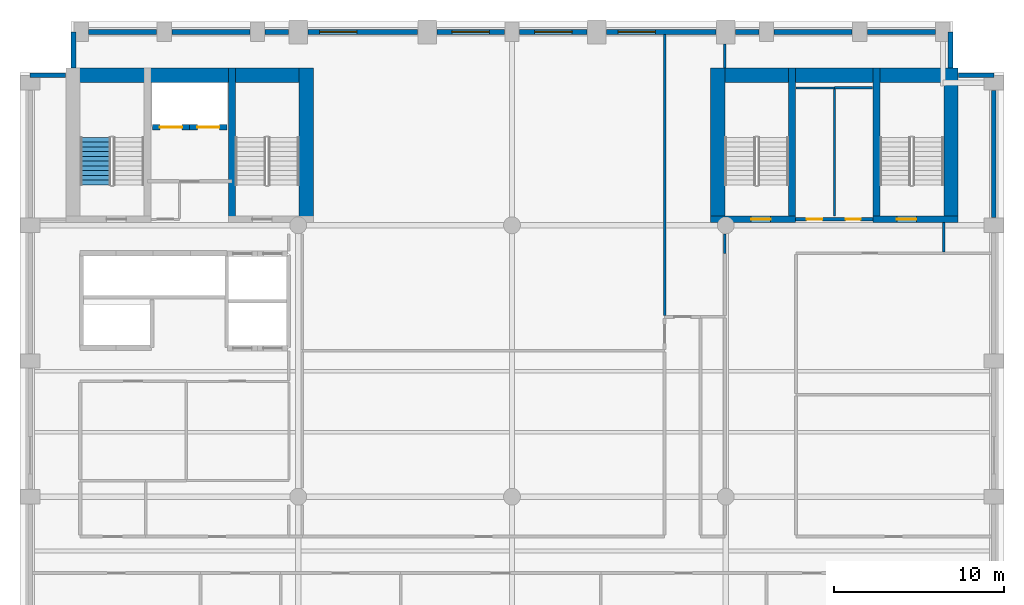
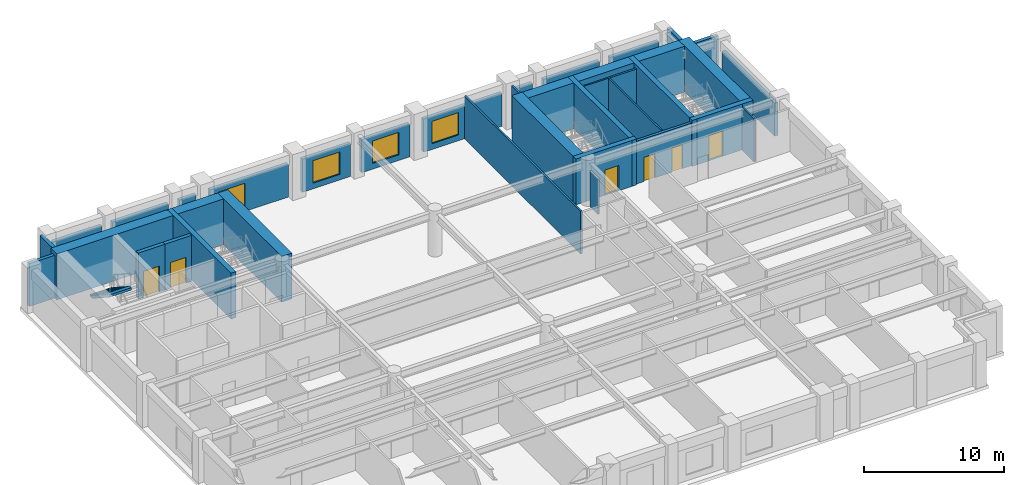
# One storey, part 5 of 8: 35 walls, 6 doors, 4 windows, 1 stair flight, 10 openings, 1 element without a shape of its own.
"""IFC4 building model written with IfcOpenShell, lengths in metres."""

from ifc_helpers import new_model, si_unit, direction, frame, frame_2d, origin, place, context, subcontext, project, spatial, polyline, rectangle, outline, extrude, material, layer, layer_set, type_object, element, fill, aggregate, save


model = new_model("IFC4")

# Units and contexts
model_context = context("Model", 3, precision=1e-05, world=origin(), true_north=direction((0.0, 1.0)))
body_context = subcontext(model_context, "Body", "Model", "MODEL_VIEW")
ifc_project = project(units=[si_unit("LENGTHUNIT", "METRE"), si_unit("AREAUNIT", "SQUARE_METRE"), si_unit("VOLUMEUNIT", "CUBIC_METRE"), si_unit("PLANEANGLEUNIT", "RADIAN"), si_unit("MASSUNIT", "GRAM", prefix="KILO")], contexts=[model_context])

# Site, building, storey
site_placement = place(None, origin())
site = spatial("IfcSite", under=ifc_project, at=site_placement, CompositionType="ELEMENT")
building_placement = place(site_placement, origin())
building = spatial("IfcBuilding", under=site, at=building_placement, Name="Sulina Concourse Tower", CompositionType="ELEMENT")
storey_placement = place(building_placement, frame((0.0, 0.0, 124.60009765625)))
storey = spatial("IfcBuildingStorey", under=building, at=storey_placement, Name="L30", CompositionType="ELEMENT", Elevation=124.60009765625)

# Wall, opening, door
ifc_material_1 = material(Name="Concrete C50/60", Category="concrete")
ifc_layer_1 = layer(ifc_material_1, 0.300048828125)
ifc_layer_set_1 = layer_set([ifc_layer_1], Name="Concrete C50/60")
wall_type_1 = type_object("IfcWallType", Name="Core Lift Hoistway Wall 300mm", PredefinedType="SOLIDWALL", material=ifc_layer_set_1)
wall_1_placement = place(storey_placement, frame((10.0, 39.780029296875, 0.0), z_axis=(0.0, 0.0, 1.0), x_axis=(-1.0, 0.0, 0.0)))
wall_1 = element("IfcWall", 1, at=wall_1_placement, inside=storey, type_object=wall_type_1, Name="L30 hoistway enclosure wall FFL-1", PredefinedType="SOLIDWALL", context=body_context, shape_type="SweptSolid", body=[
    extrude(rectangle(XDim=2.199951171875, YDim=0.300048828125, at=frame_2d((1.10009765625, 0.0))), origin(), (0.0, 0.0, 1.0), 4.0),
])
opening_1_placement = place(wall_1_placement, frame((0.449951171875, 0.0, 0.0)))
opening_1 = element("IfcOpeningElement", 2, at=opening_1_placement, cuts=wall_1, Name="Opening LD-02", PredefinedType="OPENING", context=body_context, shape_type="SweptSolid", body=[
    extrude(rectangle(XDim=1.300048828125, YDim=2.25, at=frame_2d((0.64990234375, 1.125))), frame((0.0, 0.159912109375, 0.0), z_axis=(0.0, -1.0, 0.0), x_axis=(1.0, 0.0, 0.0)), (0.0, 0.0, 1.0), 0.320068359375),
])
ifc_material_2 = material(Name="Stainless steel lift landing door", Category="steel")
ifc_layer_2 = layer(ifc_material_2, 0.050048828125)
ifc_layer_set_2 = layer_set([ifc_layer_2], Name="Stainless steel lift landing door")
door_type_1 = type_object("IfcDoorType", Name="Firefighting Lift Sliding Landing Door 1300x2250", OperationType="SLIDING_TO_RIGHT", PredefinedType="DOOR", material=ifc_layer_set_2)
door_1_placement = place(opening_1_placement, origin())
door_1 = element("IfcDoor", 3, at=door_1_placement, inside=storey, type_object=door_type_1, Name="L30 lift landing sliding door FFL-1", OperationType="SLIDING_TO_LEFT", OverallHeight=2.25, OverallWidth=1.300048828125, PredefinedType="DOOR", context=body_context, shape_type="SweptSolid", body=[
    extrude(rectangle(XDim=1.300048828125, YDim=2.25, at=frame_2d((0.64990234375, 1.125))), frame((0.0, 0.02490234375, 0.0), z_axis=(0.0, -1.0, 0.0), x_axis=(1.0, 0.0, 0.0)), (0.0, 0.0, 1.0), 0.050048828125),
])
fill(opening_1, door_1)

wall_2_placement = place(storey_placement, frame((12.199951171875, 39.780029296875, 0.0), z_axis=(0.0, 0.0, 1.0), x_axis=(-1.0, 0.0, 0.0)))
wall_2 = element("IfcWall", 4, at=wall_2_placement, inside=storey, type_object=wall_type_1, Name="L30 hoistway enclosure wall FFL-2", PredefinedType="SOLIDWALL", context=body_context, shape_type="SweptSolid", body=[
    extrude(rectangle(XDim=2.199951171875, YDim=0.300048828125, at=frame_2d((1.10009765625, 0.0))), origin(), (0.0, 0.0, 1.0), 4.0),
])
opening_2_placement = place(wall_2_placement, frame((0.449951171875, 0.0, 0.0)))
opening_2 = element("IfcOpeningElement", 5, at=opening_2_placement, cuts=wall_2, Name="Opening LD-02", PredefinedType="OPENING", context=body_context, shape_type="SweptSolid", body=[
    extrude(rectangle(XDim=1.300048828125, YDim=2.25, at=frame_2d((0.64990234375, 1.125))), frame((0.0, 0.159912109375, 0.0), z_axis=(0.0, -1.0, 0.0), x_axis=(1.0, 0.0, 0.0)), (0.0, 0.0, 1.0), 0.320068359375),
])
door_2_placement = place(opening_2_placement, origin())
door_2 = element("IfcDoor", 6, at=door_2_placement, inside=storey, type_object=door_type_1, Name="L30 lift landing sliding door FFL-2", OperationType="SLIDING_TO_RIGHT", OverallHeight=2.25, OverallWidth=1.300048828125, PredefinedType="DOOR", context=body_context, shape_type="SweptSolid", body=[
    extrude(rectangle(XDim=1.300048828125, YDim=2.25, at=frame_2d((0.64990234375, 1.125))), frame((0.0, 0.02490234375, 0.0), z_axis=(0.0, -1.0, 0.0), x_axis=(1.0, 0.0, 0.0)), (0.0, 0.0, 1.0), 0.050048828125),
])
fill(opening_2, door_2)

# Wall, openings, doors
ifc_material_3 = material(Name="Gypsum board on steel stud", Category="steel")
ifc_layer_3 = layer(ifc_material_3, 0.219970703125)
ifc_layer_set_3 = layer_set([ifc_layer_3], Name="Gypsum board on steel stud")
wall_type_2 = type_object("IfcWallType", Name="Fire-Rated Lobby & Compartment Wall 220mm", PredefinedType="PARTITIONING", material=ifc_layer_set_3)
wall_3_placement = place(storey_placement, frame((45.719970703125, 34.35009765625, 0.0), z_axis=(0.0, 0.0, 1.0), x_axis=(1.0, 0.0, 0.0)))
wall_3 = element("IfcWall", 7, at=wall_3_placement, inside=storey, type_object=wall_type_2, Name="L30 east core south lobby wall", PredefinedType="PARTITIONING", context=body_context, shape_type="SweptSolid", body=[
    extrude(rectangle(XDim=4.56005859375, YDim=0.219970703125, at=frame_2d((2.280029296875, 0.0))), origin(), (0.0, 0.0, 1.0), 3.724853515625),
])
opening_3_placement = place(wall_3_placement, frame((0.64990234375, 0.0, 0.0)))
opening_3 = element("IfcOpeningElement", 8, at=opening_3_placement, cuts=wall_3, Name="Opening DR-61", PredefinedType="OPENING", context=body_context, shape_type="SweptSolid", body=[
    extrude(rectangle(XDim=0.919921875, YDim=2.10009765625, at=frame_2d((0.4599609375, 1.050048828125))), frame((0.0, 0.119873046875, 0.0), z_axis=(0.0, -1.0, 0.0), x_axis=(1.0, 0.0, 0.0)), (0.0, 0.0, 1.0), 0.239990234375),
])
opening_4_placement = place(wall_3_placement, frame((2.949951171875, 0.0, 0.0)))
opening_4 = element("IfcOpeningElement", 9, at=opening_4_placement, cuts=wall_3, Name="Opening DR-38", PredefinedType="OPENING", context=body_context, shape_type="SweptSolid", body=[
    extrude(rectangle(XDim=0.8798828125, YDim=2.10009765625, at=frame_2d((0.43994140625, 1.050048828125))), frame((0.0, 0.119873046875, 0.0), z_axis=(0.0, -1.0, 0.0), x_axis=(1.0, 0.0, 0.0)), (0.0, 0.0, 1.0), 0.239990234375),
])
ifc_material_4 = material(Name="Oak-veneered fire door leaf")
ifc_layer_4 = layer(ifc_material_4, 0.050048828125)
ifc_layer_set_4 = layer_set([ifc_layer_4], Name="Oak-veneered fire door leaf")
door_type_2 = type_object("IfcDoorType", Name="Accessible WC Door 920x2100", OperationType="NOTDEFINED", PredefinedType="DOOR", material=ifc_layer_set_4)
door_3_placement = place(opening_3_placement, origin())
door_3 = element("IfcDoor", 10, at=door_3_placement, inside=storey, type_object=door_type_2, Name="L30 east core accessible wc door", OperationType="SINGLE_SWING_LEFT", OverallHeight=2.10009765625, OverallWidth=0.919921875, PredefinedType="DOOR", context=body_context, shape_type="SweptSolid", body=[
    extrude(rectangle(XDim=0.919921875, YDim=2.10009765625, at=frame_2d((0.4599609375, 1.050048828125))), frame((0.0, 0.02490234375, 0.0), z_axis=(0.0, -1.0, 0.0), x_axis=(1.0, 0.0, 0.0)), (0.0, 0.0, 1.0), 0.050048828125),
])
fill(opening_3, door_3)
ifc_material_5 = material(Name="Galvanised steel acoustic fire leaf", Category="steel")
ifc_layer_5 = layer(ifc_material_5, 0.050048828125)
ifc_layer_set_5 = layer_set([ifc_layer_5], Name="Galvanised steel acoustic fire leaf")
door_type_3 = type_object("IfcDoorType", Name="Service Riser Fire Door 880x2100", OperationType="NOTDEFINED", PredefinedType="DOOR", material=ifc_layer_set_5)
door_4_placement = place(opening_4_placement, origin())
door_4 = element("IfcDoor", 11, at=door_4_placement, inside=storey, type_object=door_type_3, Name="L30 east core store door", OperationType="SINGLE_SWING_RIGHT", OverallHeight=2.10009765625, OverallWidth=0.8798828125, PredefinedType="DOOR", context=body_context, shape_type="SweptSolid", body=[
    extrude(rectangle(XDim=0.8798828125, YDim=2.10009765625, at=frame_2d((0.43994140625, 1.050048828125))), frame((0.0, 0.02490234375, 0.0), z_axis=(0.0, -1.0, 0.0), x_axis=(1.0, 0.0, 0.0)), (0.0, 0.0, 1.0), 0.050048828125),
])
fill(opening_4, door_4)

# Walls
ifc_material_6 = material(Name="Gypsum board on steel stud", Category="steel")
ifc_layer_6 = layer(ifc_material_6, 0.14990234375)
ifc_layer_set_6 = layer_set([ifc_layer_6], Name="Gypsum board on steel stud")
wall_type_3 = type_object("IfcWallType", Name="Inter-Tenancy Acoustic Partition 150mm", PredefinedType="PARTITIONING", material=ifc_layer_set_6)
wall_4_placement = place(storey_placement, frame((48.0, 42.10009765625, 0.0), z_axis=(0.0, 0.0, 1.0), x_axis=(1.0, 0.0, 0.0)))
element("IfcWall", 12, at=wall_4_placement, inside=storey, type_object=wall_type_3, Name="L30 interior partition 028", PredefinedType="PARTITIONING", context=body_context, shape_type="SweptSolid", body=[
    extrude(rectangle(XDim=2.25, YDim=0.14990234375, at=frame_2d((1.125, 0.0))), origin(), (0.0, 0.0, 1.0), 3.724853515625),
])
wall_5_placement = place(storey_placement, frame((38.0, 28.68994140625, 0.0), z_axis=(0.0, 0.0, 1.0), x_axis=(0.0, 1.0, 0.0)))
element("IfcWall", 13, at=wall_5_placement, inside=storey, type_object=wall_type_3, Name="L30 interior partition 047", PredefinedType="PARTITIONING", context=body_context, shape_type="SweptSolid", body=[
    extrude(rectangle(XDim=16.570068359375, YDim=0.14990234375, at=frame_2d((8.28515625, 0.0))), origin(), (0.0, 0.0, 1.0), 3.724853515625),
])
wall_6_placement = place(storey_placement, frame((41.550048828125, 32.35009765625, 0.0), z_axis=(0.0, 0.0, 1.0), x_axis=(0.0, 1.0, 0.0)))
element("IfcWall", 14, at=wall_6_placement, inside=storey, type_object=wall_type_3, Name="L30 interior partition 052", PredefinedType="PARTITIONING", context=body_context, shape_type="SweptSolid", body=[
    extrude(rectangle(XDim=1.14990234375, YDim=0.14990234375, at=frame_2d((0.574951171875, 0.0))), origin(), (0.0, 0.0, 1.0), 3.06982421875),
])
wall_7_placement = place(storey_placement, frame((41.550048828125, 43.280029296875, 0.0), z_axis=(0.0, 0.0, 1.0), x_axis=(0.0, 1.0, 0.0)))
element("IfcWall", 15, at=wall_7_placement, inside=storey, type_object=wall_type_3, Name="L30 interior partition 053", PredefinedType="PARTITIONING", context=body_context, shape_type="SweptSolid", body=[
    extrude(rectangle(XDim=1.419921875, YDim=0.14990234375, at=frame_2d((0.7099609375, 0.0))), origin(), (0.0, 0.0, 1.0), 3.724853515625),
])
wall_8_placement = place(storey_placement, frame((54.449951171875, 32.425048828125, 0.0), z_axis=(0.0, 0.0, 1.0), x_axis=(0.0, 1.0, 0.0)))
element("IfcWall", 16, at=wall_8_placement, inside=storey, type_object=wall_type_3, Name="L30 interior partition 059", PredefinedType="PARTITIONING", context=body_context, shape_type="SweptSolid", body=[
    extrude(rectangle(XDim=1.724853515625, YDim=0.14990234375, at=frame_2d((0.8623046875, 0.0))), origin(), (0.0, 0.0, 1.0), 3.724853515625),
])
ifc_material_7 = material(Name="Concrete C60/75", Category="concrete")
ifc_layer_7 = layer(ifc_material_7, 0.39990234375)
ifc_layer_set_7 = layer_set([ifc_layer_7], Name="Concrete C60/75")
wall_type_4 = type_object("IfcWallType", Name="Protected Stair Core Shear Wall 400mm", PredefinedType="SHEAR", material=ifc_layer_set_7)
wall_9_placement = place(storey_placement, frame((12.489990234375, 34.14990234375, 0.0), z_axis=(0.0, 0.0, 1.0), x_axis=(0.0, 1.0, 0.0)))
element("IfcWall", 17, at=wall_9_placement, inside=storey, type_object=wall_type_4, Name="L30 west core shear wall SW-ST2", PredefinedType="SHEAR", context=body_context, shape_type="SweptSolid", body=[
    extrude(rectangle(XDim=9.130126953125, YDim=0.39990234375, at=frame_2d((4.56494140625, 0.0))), origin(), (0.0, 0.0, 1.0), 4.0),
])

# Wall, opening, door
wall_10_placement = place(storey_placement, frame((40.699951171875, 34.35009765625, 0.0), z_axis=(0.0, 0.0, 1.0), x_axis=(1.0, 0.0, 0.0)))
wall_10 = element("IfcWall", 18, at=wall_10_placement, inside=storey, type_object=wall_type_4, Name="L30 east core shear wall CW-ES1", PredefinedType="SHEAR", context=body_context, shape_type="SweptSolid", body=[
    extrude(rectangle(XDim=5.010009765625, YDim=0.39990234375, at=frame_2d((2.5048828125, 0.0))), origin(), (0.0, 0.0, 1.0), 4.0),
])
opening_5_placement = place(wall_10_placement, frame((2.39990234375, 0.0, 0.0)))
opening_5 = element("IfcOpeningElement", 19, at=opening_5_placement, cuts=wall_10, Name="Opening DR-60", PredefinedType="OPENING", context=body_context, shape_type="SweptSolid", body=[
    extrude(rectangle(XDim=1.14990234375, YDim=2.199951171875, at=frame_2d((0.574951171875, 1.10009765625))), frame((0.0, 0.2099609375, 0.0), z_axis=(0.0, -1.0, 0.0), x_axis=(1.0, 0.0, 0.0)), (0.0, 0.0, 1.0), 0.419921875),
])
ifc_material_8 = material(Name="Galvanised steel acoustic fire leaf", Category="steel")
ifc_layer_8 = layer(ifc_material_8, 0.054931640625)
ifc_layer_set_8 = layer_set([ifc_layer_8], Name="Galvanised steel acoustic fire leaf")
door_type_4 = type_object("IfcDoorType", Name="Protected Exit Stair Fire Door 1150x2200", OperationType="NOTDEFINED", PredefinedType="DOOR", material=ifc_layer_set_8)
door_5_placement = place(opening_5_placement, origin())
door_5 = element("IfcDoor", 20, at=door_5_placement, inside=storey, type_object=door_type_4, Name="L30 stair ST-3 south lobby fire door", OperationType="SINGLE_SWING_RIGHT", OverallHeight=2.199951171875, OverallWidth=1.14990234375, PredefinedType="DOOR", context=body_context, shape_type="SweptSolid", body=[
    extrude(rectangle(XDim=1.14990234375, YDim=2.199951171875, at=frame_2d((0.574951171875, 1.10009765625))), frame((0.0, 0.02490234375, 0.0), z_axis=(0.0, -1.0, 0.0), x_axis=(1.0, 0.0, 0.0)), (0.0, 0.0, 1.0), 0.050048828125),
])
fill(opening_5, door_5)

# Wall
wall_11_placement = place(storey_placement, frame((45.510009765625, 34.14990234375, 0.0), z_axis=(0.0, 0.0, 1.0), x_axis=(0.0, 1.0, 0.0)))
element("IfcWall", 21, at=wall_11_placement, inside=storey, type_object=wall_type_4, Name="L30 east core shear wall SW-ST3", PredefinedType="SHEAR", context=body_context, shape_type="SweptSolid", body=[
    extrude(rectangle(XDim=9.130126953125, YDim=0.39990234375, at=frame_2d((4.56494140625, 0.0))), origin(), (0.0, 0.0, 1.0), 4.0),
])

# Wall, opening, door
wall_12_placement = place(storey_placement, frame((50.2900390625, 34.35009765625, 0.0), z_axis=(0.0, 0.0, 1.0), x_axis=(1.0, 0.0, 0.0)))
wall_12 = element("IfcWall", 22, at=wall_12_placement, inside=storey, type_object=wall_type_4, Name="L30 east core shear wall CW-ES2", PredefinedType="SHEAR", context=body_context, shape_type="SweptSolid", body=[
    extrude(rectangle(XDim=5.010009765625, YDim=0.39990234375, at=frame_2d((2.5048828125, 0.0))), origin(), (0.0, 0.0, 1.0), 4.0),
])
opening_6_placement = place(wall_12_placement, frame((1.39990234375, 0.0, 0.0)))
opening_6 = element("IfcOpeningElement", 23, at=opening_6_placement, cuts=wall_12, Name="Opening DR-60", PredefinedType="OPENING", context=body_context, shape_type="SweptSolid", body=[
    extrude(rectangle(XDim=1.14990234375, YDim=2.199951171875, at=frame_2d((0.574951171875, 1.10009765625))), frame((0.0, 0.2099609375, 0.0), z_axis=(0.0, -1.0, 0.0), x_axis=(1.0, 0.0, 0.0)), (0.0, 0.0, 1.0), 0.419921875),
])
door_6_placement = place(opening_6_placement, origin())
door_6 = element("IfcDoor", 24, at=door_6_placement, inside=storey, type_object=door_type_4, Name="L30 stair ST-4 south lobby fire door", OperationType="SINGLE_SWING_LEFT", OverallHeight=2.199951171875, OverallWidth=1.14990234375, PredefinedType="DOOR", context=body_context, shape_type="SweptSolid", body=[
    extrude(rectangle(XDim=1.14990234375, YDim=2.199951171875, at=frame_2d((0.574951171875, 1.10009765625))), frame((0.0, 0.02490234375, 0.0), z_axis=(0.0, -1.0, 0.0), x_axis=(1.0, 0.0, 0.0)), (0.0, 0.0, 1.0), 0.050048828125),
])
fill(opening_6, door_6)

# Walls
wall_13_placement = place(storey_placement, frame((50.489990234375, 34.14990234375, 0.0), z_axis=(0.0, 0.0, 1.0), x_axis=(0.0, 1.0, 0.0)))
element("IfcWall", 25, at=wall_13_placement, inside=storey, type_object=wall_type_4, Name="L30 east core shear wall SW-ST4", PredefinedType="SHEAR", context=body_context, shape_type="SweptSolid", body=[
    extrude(rectangle(XDim=9.130126953125, YDim=0.39990234375, at=frame_2d((4.56494140625, 0.0))), origin(), (0.0, 0.0, 1.0), 4.0),
])
ifc_material_9 = material(Name="Concrete C60/75", Category="concrete")
ifc_layer_9 = layer(ifc_material_9, 0.85009765625)
ifc_layer_set_9 = layer_set([ifc_layer_9], Name="Concrete C60/75")
wall_type_5 = type_object("IfcWallType", Name="Rear Core Shear Wall 850mm", PredefinedType="SHEAR", material=ifc_layer_set_9)
wall_14_placement = place(storey_placement, frame((2.699951171875, 42.85498046875, 0.0), z_axis=(0.0, 0.0, 1.0), x_axis=(1.0, 0.0, 0.0)))
element("IfcWall", 26, at=wall_14_placement, inside=storey, type_object=wall_type_5, Name="L30 west core shear wall CW-WN", PredefinedType="SHEAR", context=body_context, shape_type="SweptSolid", body=[
    extrude(rectangle(XDim=14.60009765625, YDim=0.85009765625, at=frame_2d((7.300048828125, 0.0))), origin(), (0.0, 0.0, 1.0), 4.0),
])
wall_15_placement = place(storey_placement, frame((16.875, 34.14990234375, 0.0), z_axis=(0.0, 0.0, 1.0), x_axis=(0.0, 1.0, 0.0)))
element("IfcWall", 27, at=wall_15_placement, inside=storey, type_object=wall_type_5, Name="L30 west core shear wall CW-WE", PredefinedType="SHEAR", context=body_context, shape_type="SweptSolid", body=[
    extrude(rectangle(XDim=9.130126953125, YDim=0.85009765625, at=frame_2d((4.56494140625, 0.0))), origin(), (0.0, 0.0, 1.0), 4.0),
])
wall_16_placement = place(storey_placement, frame((40.699951171875, 42.85498046875, 0.0), z_axis=(0.0, 0.0, 1.0), x_axis=(1.0, 0.0, 0.0)))
element("IfcWall", 28, at=wall_16_placement, inside=storey, type_object=wall_type_5, Name="L30 east core shear wall CW-EN", PredefinedType="SHEAR", context=body_context, shape_type="SweptSolid", body=[
    extrude(rectangle(XDim=14.60009765625, YDim=0.85009765625, at=frame_2d((7.300048828125, 0.0))), origin(), (0.0, 0.0, 1.0), 4.0),
])
for number, where, z_axis, x_axis, name in (
    (29, (41.125, 34.14990234375, 0.0), (0.0, 0.0, 1.0), (0.0, 1.0, 0.0), "L30 east core shear wall CW-EW"),
    (30, (54.875, 34.14990234375, 0.0), (0.0, 0.0, 1.0), (0.0, 1.0, 0.0), "L30 east core shear wall CW-EE"),
):
    element("IfcWall", number, at=place(storey_placement, frame(where, z_axis=z_axis, x_axis=x_axis)), inside=storey, type_object=wall_type_5, Name=name, PredefinedType="SHEAR", context=body_context, shape_type="SweptSolid", body=[
        extrude(rectangle(XDim=9.130126953125, YDim=0.85009765625, at=frame_2d((4.56494140625, 0.0))), origin(), (0.0, 0.0, 1.0), 4.0),
    ])
ifc_material_10 = material(Name="Precast concrete C50/60", Category="concrete")
ifc_layer_10 = layer(ifc_material_10, 0.280029296875)
ifc_layer_set_10 = layer_set([ifc_layer_10], Name="Precast concrete C50/60")
wall_type_6 = type_object("IfcWallType", Name="Typical Precast Masonry-Frame Facade Wall 280mm", PredefinedType="SOLIDWALL", material=ifc_layer_set_10)
wall_17_placement = place(storey_placement, frame((4.044921875, 45.39990234375, 0.0), z_axis=(0.0, 0.0, 1.0), x_axis=(1.0, 0.0, 0.0)))
element("IfcWall", 31, at=wall_17_placement, inside=storey, type_object=wall_type_6, Name="L30 exterior precast wall N1", PredefinedType="SOLIDWALL", context=body_context, shape_type="SweptSolid", body=[
    extrude(rectangle(XDim=4.010009765625, YDim=0.280029296875, at=frame_2d((2.0048828125, 0.0))), origin(), (0.0, 0.0, 1.0), 2.875),
])
wall_18_placement = place(storey_placement, frame((8.945068359375, 45.39990234375, 0.0), z_axis=(0.0, 0.0, 1.0), x_axis=(1.0, 0.0, 0.0)))
element("IfcWall", 32, at=wall_18_placement, inside=storey, type_object=wall_type_6, Name="L30 exterior precast wall N2", PredefinedType="SOLIDWALL", context=body_context, shape_type="SweptSolid", body=[
    extrude(rectangle(XDim=4.60986328125, YDim=0.280029296875, at=frame_2d((2.304931640625, 0.0))), origin(), (0.0, 0.0, 1.0), 2.875),
])
wall_19_placement = place(storey_placement, frame((14.445068359375, 45.39990234375, 0.0), z_axis=(0.0, 0.0, 1.0), x_axis=(1.0, 0.0, 0.0)))
element("IfcWall", 33, at=wall_19_placement, inside=storey, type_object=wall_type_6, Name="L30 exterior precast wall N3", PredefinedType="SOLIDWALL", context=body_context, shape_type="SweptSolid", body=[
    extrude(rectangle(XDim=1.385009765625, YDim=0.280029296875, at=frame_2d((0.6923828125, 0.0))), origin(), (0.0, 0.0, 1.0), 2.875),
])

# Wall, opening, window
wall_20_placement = place(storey_placement, frame((16.969970703125, 45.39990234375, 0.0), z_axis=(0.0, 0.0, 1.0), x_axis=(1.0, 0.0, 0.0)))
wall_20 = element("IfcWall", 34, at=wall_20_placement, inside=storey, type_object=wall_type_6, Name="L30 exterior precast wall N4", PredefinedType="SOLIDWALL", context=body_context, shape_type="SweptSolid", body=[
    extrude(rectangle(XDim=6.4599609375, YDim=0.280029296875, at=frame_2d((3.22998046875, 0.0))), origin(), (0.0, 0.0, 1.0), 2.875),
])
opening_7_placement = place(wall_20_placement, frame((0.686767578125, 0.0, 0.5)))
opening_7 = element("IfcOpeningElement", 35, at=opening_7_placement, cuts=wall_20, Name="Opening WN-76", PredefinedType="OPENING", context=body_context, shape_type="SweptSolid", body=[
    extrude(rectangle(XDim=2.199951171875, YDim=1.949951171875, at=frame_2d((1.10009765625, 0.97509765625))), frame((0.0, 0.14990234375, 0.0), z_axis=(0.0, -1.0, 0.0), x_axis=(1.0, 0.0, 0.0)), (0.0, 0.0, 1.0), 0.300048828125),
])
ifc_material_11 = material(Name="Low-E solar double glazing in bronze aluminium", Category="aluminium")
window_type = type_object("IfcWindowType", Name="Recessed Spandrel Window 2200x1950", PartitioningType="DOUBLE_PANEL_VERTICAL", PredefinedType="WINDOW", material=ifc_material_11)
window_1_placement = place(opening_7_placement, origin())
window_1 = element("IfcWindow", 36, at=window_1_placement, inside=storey, type_object=window_type, Name="L30 punched window N4-1", OverallHeight=1.949951171875, OverallWidth=2.199951171875, PartitioningType="SINGLE_PANEL", PredefinedType="WINDOW", context=body_context, shape_type="SweptSolid", body=[
    extrude(rectangle(XDim=2.199951171875, YDim=1.949951171875, at=frame_2d((1.10009765625, 0.97509765625))), frame((0.0, 0.030029296875, 0.0), z_axis=(0.0, -1.0, 0.0), x_axis=(1.0, 0.0, 0.0)), (0.0, 0.0, 1.0), 0.06005859375),
])
fill(opening_7, window_1)

wall_21_placement = place(storey_placement, frame((24.570068359375, 45.39990234375, 0.0), z_axis=(0.0, 0.0, 1.0), x_axis=(1.0, 0.0, 0.0)))
wall_21 = element("IfcWall", 37, at=wall_21_placement, inside=storey, type_object=wall_type_6, Name="L30 exterior precast wall N5", PredefinedType="SOLIDWALL", context=body_context, shape_type="SweptSolid", body=[
    extrude(rectangle(XDim=3.98486328125, YDim=0.280029296875, at=frame_2d((1.992431640625, 0.0))), origin(), (0.0, 0.0, 1.0), 2.875),
])
opening_8_placement = place(wall_21_placement, frame((0.892578125, 0.0, 0.5)))
opening_8 = element("IfcOpeningElement", 38, at=opening_8_placement, cuts=wall_21, Name="Opening WN-76", PredefinedType="OPENING", context=body_context, shape_type="SweptSolid", body=[
    extrude(rectangle(XDim=2.199951171875, YDim=1.949951171875, at=frame_2d((1.10009765625, 0.97509765625))), frame((0.0, 0.14990234375, 0.0), z_axis=(0.0, -1.0, 0.0), x_axis=(1.0, 0.0, 0.0)), (0.0, 0.0, 1.0), 0.300048828125),
])
window_2_placement = place(opening_8_placement, origin())
window_2 = element("IfcWindow", 39, at=window_2_placement, inside=storey, type_object=window_type, Name="L30 punched window N5-1", OverallHeight=1.949951171875, OverallWidth=2.199951171875, PartitioningType="SINGLE_PANEL", PredefinedType="WINDOW", context=body_context, shape_type="SweptSolid", body=[
    extrude(rectangle(XDim=2.199951171875, YDim=1.949951171875, at=frame_2d((1.10009765625, 0.97509765625))), frame((0.0, 0.030029296875, 0.0), z_axis=(0.0, -1.0, 0.0), x_axis=(1.0, 0.0, 0.0)), (0.0, 0.0, 1.0), 0.06005859375),
])
fill(opening_8, window_2)

wall_22_placement = place(storey_placement, frame((29.445068359375, 45.39990234375, 0.0), z_axis=(0.0, 0.0, 1.0), x_axis=(1.0, 0.0, 0.0)))
wall_22 = element("IfcWall", 40, at=wall_22_placement, inside=storey, type_object=wall_type_6, Name="L30 exterior precast wall N6", PredefinedType="SOLIDWALL", context=body_context, shape_type="SweptSolid", body=[
    extrude(rectangle(XDim=3.98486328125, YDim=0.280029296875, at=frame_2d((1.992431640625, 0.0))), origin(), (0.0, 0.0, 1.0), 2.875),
])
opening_9_placement = place(wall_22_placement, frame((0.892578125, 0.0, 0.5)))
opening_9 = element("IfcOpeningElement", 41, at=opening_9_placement, cuts=wall_22, Name="Opening WN-76", PredefinedType="OPENING", context=body_context, shape_type="SweptSolid", body=[
    extrude(rectangle(XDim=2.199951171875, YDim=1.949951171875, at=frame_2d((1.10009765625, 0.97509765625))), frame((0.0, 0.14990234375, 0.0), z_axis=(0.0, -1.0, 0.0), x_axis=(1.0, 0.0, 0.0)), (0.0, 0.0, 1.0), 0.300048828125),
])
window_3_placement = place(opening_9_placement, origin())
window_3 = element("IfcWindow", 42, at=window_3_placement, inside=storey, type_object=window_type, Name="L30 punched window N6-1", OverallHeight=1.949951171875, OverallWidth=2.199951171875, PartitioningType="SINGLE_PANEL", PredefinedType="WINDOW", context=body_context, shape_type="SweptSolid", body=[
    extrude(rectangle(XDim=2.199951171875, YDim=1.949951171875, at=frame_2d((1.10009765625, 0.97509765625))), frame((0.0, 0.030029296875, 0.0), z_axis=(0.0, -1.0, 0.0), x_axis=(1.0, 0.0, 0.0)), (0.0, 0.0, 1.0), 0.06005859375),
])
fill(opening_9, window_3)

wall_23_placement = place(storey_placement, frame((34.570068359375, 45.39990234375, 0.0), z_axis=(0.0, 0.0, 1.0), x_axis=(1.0, 0.0, 0.0)))
wall_23 = element("IfcWall", 43, at=wall_23_placement, inside=storey, type_object=wall_type_6, Name="L30 exterior precast wall N7", PredefinedType="SOLIDWALL", context=body_context, shape_type="SweptSolid", body=[
    extrude(rectangle(XDim=6.4599609375, YDim=0.280029296875, at=frame_2d((3.22998046875, 0.0))), origin(), (0.0, 0.0, 1.0), 2.875),
])
opening_10_placement = place(wall_23_placement, frame((0.686767578125, 0.0, 0.5)))
opening_10 = element("IfcOpeningElement", 44, at=opening_10_placement, cuts=wall_23, Name="Opening WN-76", PredefinedType="OPENING", context=body_context, shape_type="SweptSolid", body=[
    extrude(rectangle(XDim=2.199951171875, YDim=1.949951171875, at=frame_2d((1.10009765625, 0.97509765625))), frame((0.0, 0.14990234375, 0.0), z_axis=(0.0, -1.0, 0.0), x_axis=(1.0, 0.0, 0.0)), (0.0, 0.0, 1.0), 0.300048828125),
])
window_4_placement = place(opening_10_placement, origin())
window_4 = element("IfcWindow", 45, at=window_4_placement, inside=storey, type_object=window_type, Name="L30 punched window N7-1", OverallHeight=1.949951171875, OverallWidth=2.199951171875, PartitioningType="SINGLE_PANEL", PredefinedType="WINDOW", context=body_context, shape_type="SweptSolid", body=[
    extrude(rectangle(XDim=2.199951171875, YDim=1.949951171875, at=frame_2d((1.10009765625, 0.97509765625))), frame((0.0, 0.030029296875, 0.0), z_axis=(0.0, -1.0, 0.0), x_axis=(1.0, 0.0, 0.0)), (0.0, 0.0, 1.0), 0.06005859375),
])
fill(opening_10, window_4)

# Walls
wall_24_placement = place(storey_placement, frame((42.169921875, 45.39990234375, 0.0), z_axis=(0.0, 0.0, 1.0), x_axis=(1.0, 0.0, 0.0)))
element("IfcWall", 46, at=wall_24_placement, inside=storey, type_object=wall_type_6, Name="L30 exterior precast wall N8", PredefinedType="SOLIDWALL", context=body_context, shape_type="SweptSolid", body=[
    extrude(rectangle(XDim=1.385009765625, YDim=0.280029296875, at=frame_2d((0.6923828125, 0.0))), origin(), (0.0, 0.0, 1.0), 2.875),
])
wall_25_placement = place(storey_placement, frame((44.445068359375, 45.39990234375, 0.0), z_axis=(0.0, 0.0, 1.0), x_axis=(1.0, 0.0, 0.0)))
element("IfcWall", 47, at=wall_25_placement, inside=storey, type_object=wall_type_6, Name="L30 exterior precast wall N9", PredefinedType="SOLIDWALL", context=body_context, shape_type="SweptSolid", body=[
    extrude(rectangle(XDim=4.60986328125, YDim=0.280029296875, at=frame_2d((2.304931640625, 0.0))), origin(), (0.0, 0.0, 1.0), 2.875),
])
wall_26_placement = place(storey_placement, frame((49.945068359375, 45.39990234375, 0.0), z_axis=(0.0, 0.0, 1.0), x_axis=(1.0, 0.0, 0.0)))
element("IfcWall", 48, at=wall_26_placement, inside=storey, type_object=wall_type_6, Name="L30 exterior precast wall N10", PredefinedType="SOLIDWALL", context=body_context, shape_type="SweptSolid", body=[
    extrude(rectangle(XDim=4.010009765625, YDim=0.280029296875, at=frame_2d((2.0048828125, 0.0))), origin(), (0.0, 0.0, 1.0), 2.875),
])
wall_27_placement = place(storey_placement, frame((57.39990234375, 41.955078125, 0.0), z_axis=(0.0, 0.0, 1.0), x_axis=(0.0, -1.0, 0.0)))
element("IfcWall", 49, at=wall_27_placement, inside=storey, type_object=wall_type_6, Name="L30 exterior precast wall E5", PredefinedType="SOLIDWALL", context=body_context, shape_type="SweptSolid", body=[
    extrude(rectangle(XDim=7.510009765625, YDim=0.280029296875, at=frame_2d((3.7548828125, 0.0))), origin(), (0.0, 0.0, 1.0), 2.875),
])
wall_28_placement = place(storey_placement, frame((0.60009765625, 42.844970703125, 0.0), z_axis=(0.0, 0.0, 1.0), x_axis=(1.0, 0.0, 0.0)))
element("IfcWall", 50, at=wall_28_placement, inside=storey, type_object=wall_type_6, Name="L30 exterior precast wall CNW1", PredefinedType="SOLIDWALL", context=body_context, shape_type="SweptSolid", body=[
    extrude(rectangle(XDim=2.094970703125, YDim=0.280029296875, at=frame_2d((1.04736328125, 0.0))), origin(), (0.0, 0.0, 1.0), 3.724853515625),
])
for number, where, z_axis, x_axis, name in (
    (51, (3.155029296875, 43.284912109375, 0.0), (0.0, 0.0, 1.0), (0.0, 1.0, 0.0), "L30 exterior precast wall CNW2"),
    (52, (54.844970703125, 45.39990234375, 0.0), (0.0, 0.0, 1.0), (0.0, -1.0, 0.0), "L30 exterior precast wall CNE1"),
):
    element("IfcWall", number, at=place(storey_placement, frame(where, z_axis=z_axis, x_axis=x_axis)), inside=storey, type_object=wall_type_6, Name=name, PredefinedType="SOLIDWALL", context=body_context, shape_type="SweptSolid", body=[
        extrude(rectangle(XDim=2.114990234375, YDim=0.280029296875, at=frame_2d((1.0576171875, 0.0))), origin(), (0.0, 0.0, 1.0), 3.724853515625),
    ])
wall_29_placement = place(storey_placement, frame((55.304931640625, 42.844970703125, 0.0), z_axis=(0.0, 0.0, 1.0), x_axis=(1.0, 0.0, 0.0)))
element("IfcWall", 53, at=wall_29_placement, inside=storey, type_object=wall_type_6, Name="L30 exterior precast wall CNE2", PredefinedType="SOLIDWALL", context=body_context, shape_type="SweptSolid", body=[
    extrude(rectangle(XDim=2.094970703125, YDim=0.280029296875, at=frame_2d((1.04736328125, 0.0))), origin(), (0.0, 0.0, 1.0), 3.724853515625),
])
ifc_material_12 = material(Name="Gypsum board on steel stud", Category="steel")
ifc_layer_11 = layer(ifc_material_12, 0.125)
ifc_layer_set_11 = layer_set([ifc_layer_11], Name="Gypsum board on steel stud")
wall_type_7 = type_object("IfcWallType", Name="Wet-Area Moisture-Resistant Partition 125mm", PredefinedType="PARTITIONING", material=ifc_layer_set_11)
wall_30_placement = place(storey_placement, frame((45.75, 42.10009765625, 0.0), z_axis=(0.0, 0.0, 1.0), x_axis=(1.0, 0.0, 0.0)))
element("IfcWall", 54, at=wall_30_placement, inside=storey, type_object=wall_type_7, Name="L30 interior partition 027", PredefinedType="PARTITIONING", context=body_context, shape_type="SweptSolid", body=[
    extrude(rectangle(XDim=2.25, YDim=0.125, at=frame_2d((1.125, 0.0))), origin(), (0.0, 0.0, 1.0), 3.724853515625),
])
wall_31_placement = place(storey_placement, frame((48.0, 34.550048828125, 0.0), z_axis=(0.0, 0.0, 1.0), x_axis=(0.0, 1.0, 0.0)))
element("IfcWall", 55, at=wall_31_placement, inside=storey, type_object=wall_type_7, Name="L30 interior partition 057", PredefinedType="PARTITIONING", context=body_context, shape_type="SweptSolid", body=[
    extrude(rectangle(XDim=7.474853515625, YDim=0.125, at=frame_2d((3.7373046875, 0.0))), origin(), (0.0, 0.0, 1.0), 3.724853515625),
])

# Stair, stair flight
ifc_material_13 = material(Name="Concrete C50/60", Category="concrete")
stair_type = type_object("IfcStairType", Name="Primary Core Dog-Leg Exit Stair 1800mm", PredefinedType="HALF_TURN_STAIR", material=ifc_material_13)
stair_placement = place(storey_placement, origin())
stair = element("IfcStair", 56, at=stair_placement, inside=storey, type_object=stair_type, Name="L30 ST-1", PredefinedType="HALF_TURN_STAIR")
ifc_material_14 = material(Name="Concrete C50/60", Category="concrete")
stair_flight_type = type_object("IfcStairFlightType", Name="Primary Core Dog-Leg Exit Stair 1800mm Flight", PredefinedType="STRAIGHT", material=ifc_material_14)
stair_flight_placement = place(storey_placement, frame((4.455078125, 39.175048828125, 2.0), z_axis=(0.0, 0.0, 1.0), x_axis=(0.0, -1.0, 0.0)))
stair_flight = element("IfcStairFlight", 57, at=stair_flight_placement, type_object=stair_flight_type, Name="ST-1 flight 2", NumberOfRisers=11, NumberOfTreads=10, PredefinedType="STRAIGHT", RiserHeight=0.181818182, TreadLength=0.28, context=body_context, shape_type="SweptSolid", body=[
    extrude(outline(polyline([(0.0, 0.0), (0.0, 0.181884765625), (0.280029296875, 0.181884765625), (0.280029296875, 0.363525390625), (0.56005859375, 0.363525390625), (0.56005859375, 0.54541015625), (0.840087890625, 0.54541015625), (0.840087890625, 0.727294921875), (1.1201171875, 0.727294921875), (1.1201171875, 0.9091796875), (1.39990234375, 0.9091796875), (1.39990234375, 1.0908203125), (1.679931640625, 1.0908203125), (1.679931640625, 1.272705078125), (1.9599609375, 1.272705078125), (1.9599609375, 1.45458984375), (2.239990234375, 1.45458984375), (2.239990234375, 1.636474609375), (2.52001953125, 1.636474609375), (2.52001953125, 1.818115234375), (2.800048828125, 1.818115234375), (2.800048828125, 2.0), (2.800048828125, 1.603759765625), (0.330322265625, 0.0), (0.0, 0.0)])), frame((0.0, 0.89990234375, 0.0), z_axis=(0.0, -1.0, 0.0), x_axis=(1.0, 0.0, 0.0)), (0.0, 0.0, 1.0), 1.800048828125),
])
aggregate(stair, [stair_flight])

save(model, "model.ifc")
